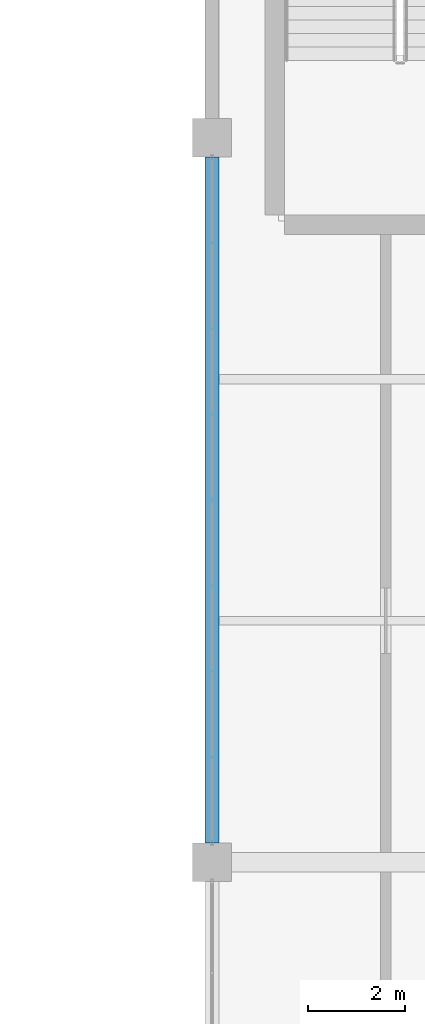
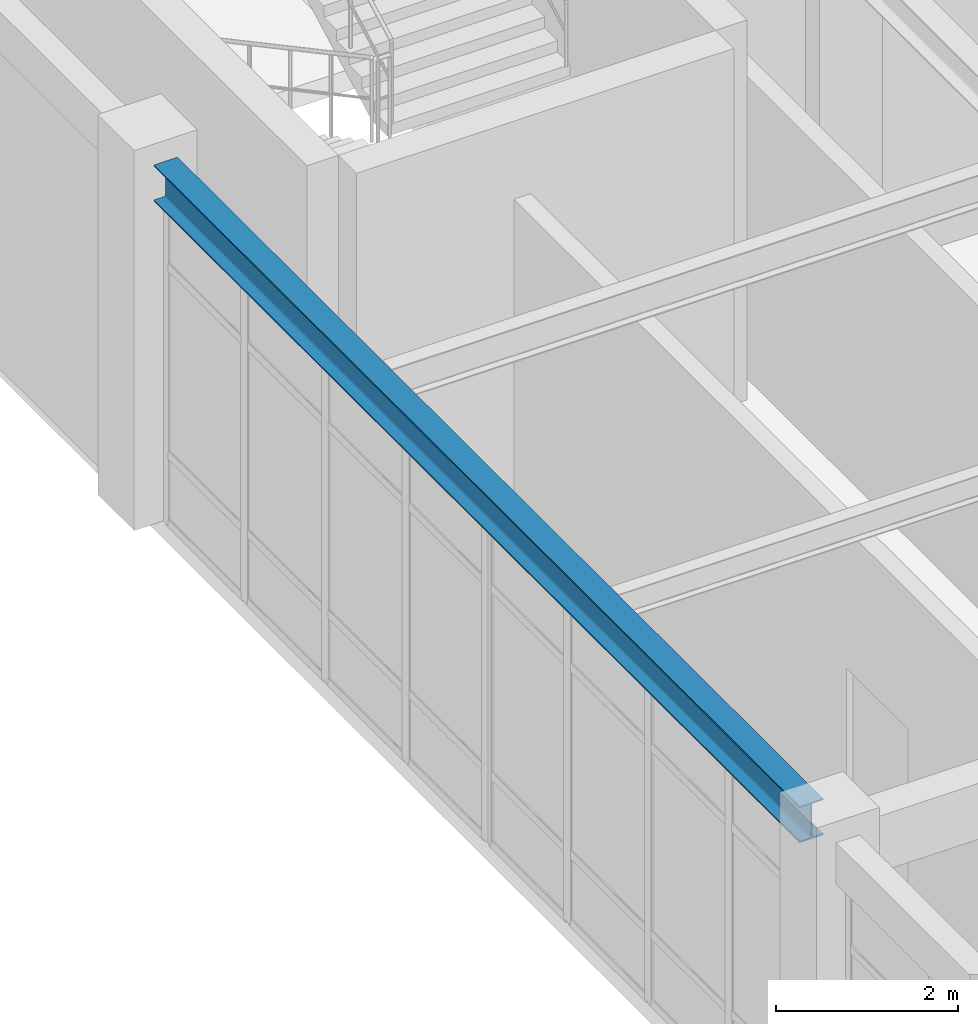
# One storey, part 25 of 96: 1 beam.
"""IFC4 building model written with IfcOpenShell, lengths in metres."""

from ifc_helpers import new_model, si_unit, derived_unit, direction, frame, origin, origin_2d, place, context, subcontext, project, spatial, i_section, extrude, material, material_profile, profile_set, type_object, element, save


model = new_model("IFC4")

# Units and contexts
model_context = context("Model", 3, precision=1e-05, world=origin(), true_north=direction((0.0, 1.0)))
body_context = subcontext(model_context, "Body", "Model", "MODEL_VIEW")
ifc_project = project(units=[si_unit("LENGTHUNIT", "METRE"), si_unit("AREAUNIT", "SQUARE_METRE"), si_unit("VOLUMEUNIT", "CUBIC_METRE"), si_unit("PLANEANGLEUNIT", "RADIAN"), si_unit("MASSUNIT", "GRAM", prefix="KILO"), derived_unit("THERMALTRANSMITTANCEUNIT", [(si_unit("MASSUNIT", "GRAM", prefix="KILO"), 1), (si_unit("TIMEUNIT", "SECOND"), -3), (si_unit("THERMODYNAMICTEMPERATUREUNIT", "KELVIN"), -1)])], contexts=[model_context])

# Site, building, storey
site_placement = place(None, origin())
site = spatial("IfcSite", under=ifc_project, at=site_placement, CompositionType="ELEMENT")
building_placement = place(site_placement, origin())
building = spatial("IfcBuilding", under=site, at=building_placement, Name="Qinzheling Arcade Emporium", CompositionType="ELEMENT")
storey_placement = place(building_placement, frame((0.0, 0.0, 21.60009765625)))
storey = spatial("IfcBuildingStorey", under=building, at=storey_placement, Name="L05", CompositionType="ELEMENT", Elevation=21.60009765625)

# Beam
ifc_material = material(Name="Structural steel Q355B", Category="steel")
ifc_material_profile = material_profile(ifc_material, i_section(OverallWidth=0.300048828125, OverallDepth=0.488037109375, WebThickness=0.010986328125, FlangeThickness=0.01806640625, FilletRadius=0.02197265625, at=origin_2d()), Name="HM 488x300x11x18", Category="steel")
ifc_profile_set = profile_set([ifc_material_profile], Name="Structural steel Q355B")
beam_type = type_object("IfcBeamType", Name="Atrium Bridge Girder HM488 Q355B", PredefinedType="USERDEFINED", material=ifc_profile_set)
beam_placement = place(storey_placement, frame((34.800048828125, 50.800048828125, 4.575927734375), z_axis=(0.0, 1.0, 0.0), x_axis=(-1.0, 0.0, 0.0)))
element("IfcBeam", 1, at=beam_placement, inside=storey, type_object=beam_type, Name="Beam BM-L05-Y-5-G", ObjectType="TRANSFER_GIRDER", PredefinedType="USERDEFINED", context=body_context, shape_type="SweptSolid", body=[
    extrude(i_section(OverallWidth=0.300048828125, OverallDepth=0.488037109375, WebThickness=0.010986328125, FlangeThickness=0.01806640625, FilletRadius=0.02197265625, at=origin_2d()), origin(), (0.0, 0.0, 1.0), 14.199951171875),
])

save(model, "model.ifc")
